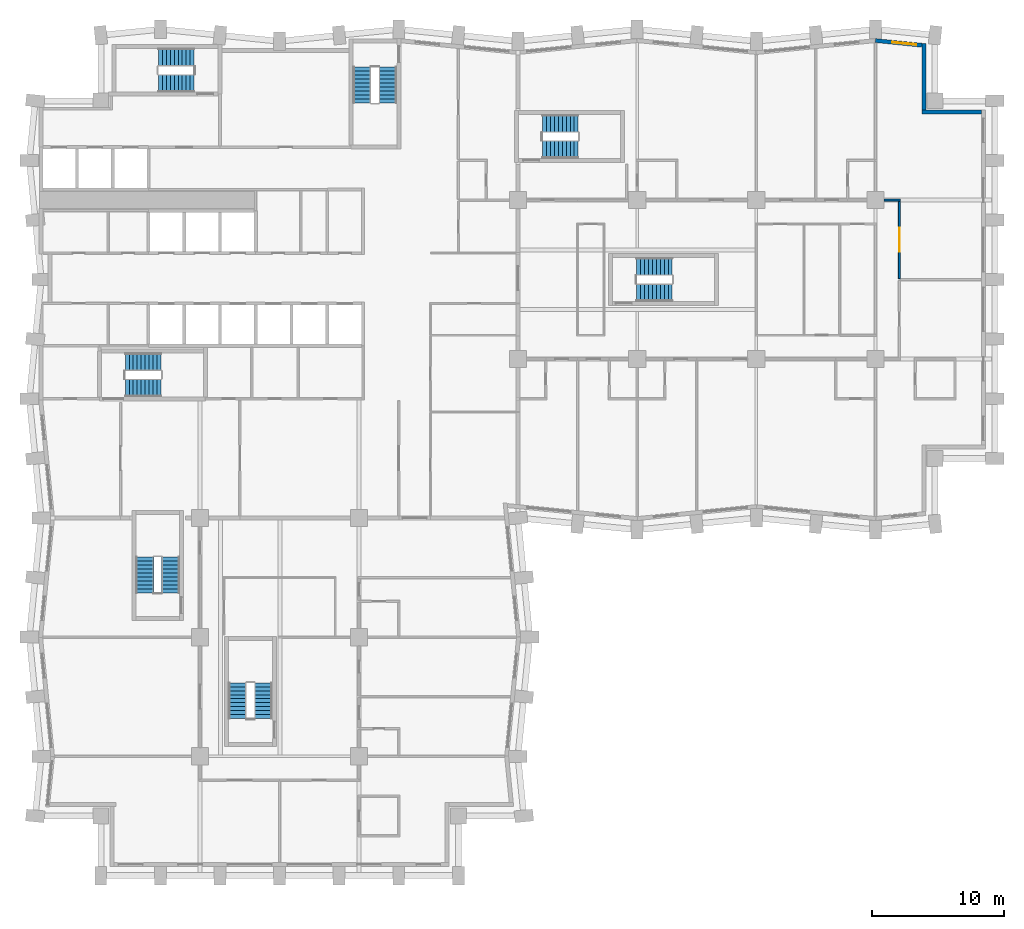
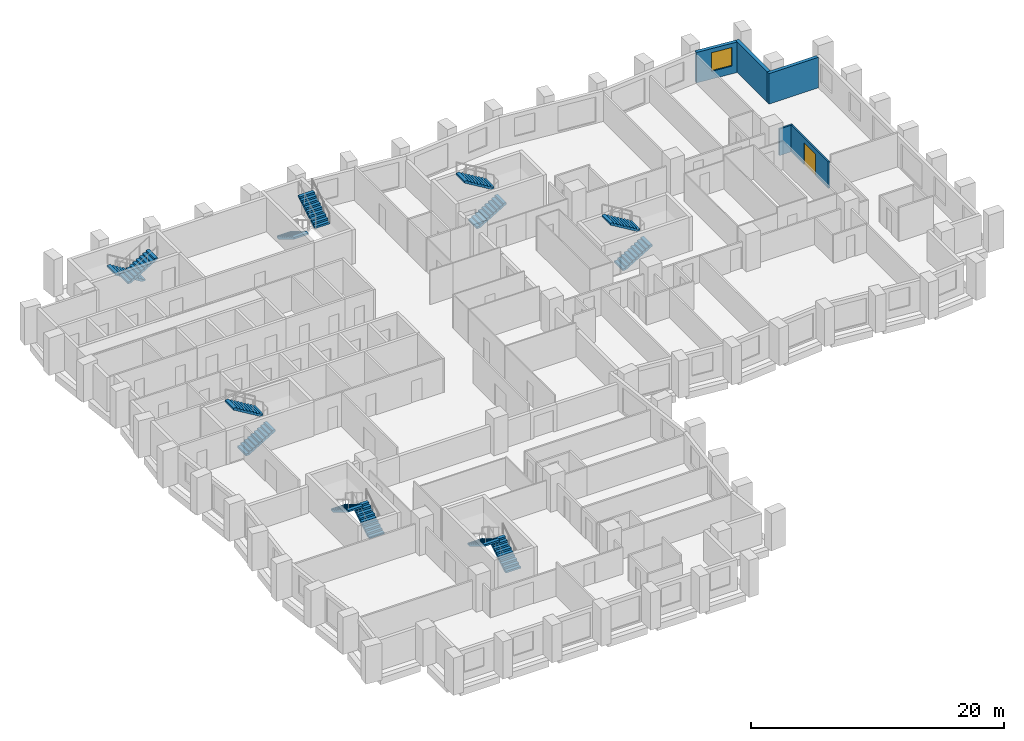
# One storey, part 10 of 12: 14 stair flights, 5 walls, 1 door, 1 window, 2 openings, 7 elements without a shape of their own.
"""IFC4 building model written with IfcOpenShell, lengths in metres."""

import ifcopenshell
import ifcopenshell.guid

model = None  # the IFC model being written
_history = None  # IfcOwnerHistory: only IFC2X3 demands one
_inside = {}  # id of a spatial element -> (the spatial element, [elements in it])
_under = {}  # id of a project, library or spatial element -> (it, [spatial elements below it])
_declared = {}  # id of a project -> (the project, [libraries it declares])
_typed = {}  # id of a type object -> (the type object, [elements of that type])
_made_of = {}  # id of a material, layer set ... -> (it, [elements and type objects made of it])


def new_model(schema):
    """Start an empty IFC model of exactly this schema.

    Asked for "IFC4X3", IfcOpenShell would pick the latest addendum, in which some entities
    have other attributes; the version numbers below select the first issue.
    IFC2X3 requires an IfcOwnerHistory on every rooted entity: one is made here for all.
    """
    global model, _history
    if schema == "IFC4X3":
        model = ifcopenshell.file(schema_version=(4, 3, 0, 0))
    else:
        model = ifcopenshell.file(schema=schema)
    _inside.clear()
    _under.clear()
    _declared.clear()
    _typed.clear()
    _made_of.clear()
    _history = None
    if model.schema == "IFC2X3":
        org = make("IfcOrganization", Name="unknown")
        user = make(
            "IfcPersonAndOrganization",
            ThePerson=make("IfcPerson", FamilyName="unknown"),
            TheOrganization=org,
        )
        app = make(
            "IfcApplication",
            ApplicationDeveloper=org,
            Version="unknown",
            ApplicationFullName="unknown",
            ApplicationIdentifier="unknown",
        )
        _history = make(
            "IfcOwnerHistory",
            OwningUser=user,
            OwningApplication=app,
            ChangeAction="ADDED",
            CreationDate=0,
        )
    return model


def make(cls, **values):
    """One entity of the class cls with the attributes given. An attribute that is None is left unset."""
    return model.create_entity(
        cls, **{name: value for name, value in values.items() if value is not None}
    )


def rooted(cls, **values):
    """An entity with a GlobalId (a new one), such as an element, a storey or a relation."""
    return make(cls, GlobalId=ifcopenshell.guid.new(), OwnerHistory=_history, **values)


def si_unit(unit_type, name, prefix=None):
    """IfcSIUnit, for example si_unit("LENGTHUNIT", "METRE", prefix="MILLI")."""
    return make("IfcSIUnit", UnitType=unit_type, Prefix=prefix, Name=name)


def assignment(units):
    """IfcUnitAssignment: the units of a project."""
    return None if units is None else make("IfcUnitAssignment", Units=units)


def point(xyz):
    """IfcCartesianPoint."""
    return None if xyz is None else make("IfcCartesianPoint", Coordinates=xyz)


def direction(xyz):
    """IfcDirection."""
    return None if xyz is None else make("IfcDirection", DirectionRatios=xyz)


def frame(location, z_axis=None, x_axis=None):
    """IfcAxis2Placement3D, a coordinate frame: its origin and axes. An axis left out is left unset."""
    return make(
        "IfcAxis2Placement3D",
        Location=point(location),
        Axis=direction(z_axis),
        RefDirection=direction(x_axis),
    )


def frame_2d(location, x_axis=None):
    """IfcAxis2Placement2D, a coordinate frame in the plane: its origin and x axis."""
    return make(
        "IfcAxis2Placement2D", Location=point(location), RefDirection=direction(x_axis)
    )


def origin():
    """The frame at (0, 0, 0) with its axes left unset."""
    return frame((0.0, 0.0, 0.0))


def place(relative_to, where):
    """IfcLocalPlacement: puts the frame where relative to a parent placement (None: the world)."""
    return make(
        "IfcLocalPlacement", PlacementRelTo=relative_to, RelativePlacement=where
    )


def context(
    kind, dimensions, precision=None, world=None, true_north=None, identifier=None
):
    """IfcGeometricRepresentationContext, for example the 3D "Model" context."""
    return make(
        "IfcGeometricRepresentationContext",
        ContextIdentifier=identifier,
        ContextType=kind,
        CoordinateSpaceDimension=dimensions,
        Precision=precision,
        WorldCoordinateSystem=world,
        TrueNorth=true_north,
    )


def subcontext(parent, identifier, kind, view, scale=None):
    """IfcGeometricRepresentationSubContext, for example "Body" below "Model"."""
    return make(
        "IfcGeometricRepresentationSubContext",
        ContextIdentifier=identifier,
        ContextType=kind,
        ParentContext=parent,
        TargetScale=scale,
        TargetView=view,
    )


def project(units=None, contexts=None):
    """IfcProject with its units and contexts."""
    return rooted(
        "IfcProject",
        Name="project",
        RepresentationContexts=contexts,
        UnitsInContext=assignment(units),
    )


def spatial(cls, under=None, at=None, **own):
    """A site, building, storey or space (cls), placed at a placement, below another one or the project."""
    s = rooted(cls, ObjectPlacement=at, **own)
    if under is not None:
        _under.setdefault(under.id(), (under, []))[1].append(s)
    return s


def polyline(points):
    """IfcPolyline through the points."""
    return make("IfcPolyline", Points=[point(p) for p in points])


def profile(cls, at=None, kind="AREA", **sizes):
    """A parametric profile (cls). Its sizes go by their IFC names, for example OverallWidth=200.0."""
    return make(cls, ProfileType=kind, Position=at, **sizes)


def rectangle(**sizes):
    """IfcRectangleProfileDef."""
    return profile("IfcRectangleProfileDef", **sizes)


def outline(outer, holes=None, kind="AREA"):
    """IfcArbitraryClosedProfileDef: a profile drawn as a closed curve; with holes, ...WithVoids."""
    if holes is None:
        return make("IfcArbitraryClosedProfileDef", ProfileType=kind, OuterCurve=outer)
    return make(
        "IfcArbitraryProfileDefWithVoids",
        ProfileType=kind,
        OuterCurve=outer,
        InnerCurves=holes,
    )


def extrude(swept, where, along, depth):
    """IfcExtrudedAreaSolid: the profile swept, set in the frame where, extruded along a direction by depth."""
    return make(
        "IfcExtrudedAreaSolid",
        SweptArea=swept,
        Position=where,
        ExtrudedDirection=direction(along),
        Depth=depth,
    )


def shape(context_of_items, identifier, shape_type, items):
    """IfcShapeRepresentation: the items that make up one representation, for example the "Body"."""
    return make(
        "IfcShapeRepresentation",
        ContextOfItems=context_of_items,
        RepresentationIdentifier=identifier,
        RepresentationType=shape_type,
        Items=items,
    )


def material(Name=None, Category=None):
    """IfcMaterial."""
    return make("IfcMaterial", Name=Name, Category=Category)


def layer(
    of_material, thickness, ventilated=None, Name=None, Category=None, Priority=None
):
    """IfcMaterialLayer: one layer of a wall or slab, of a material (None: an air gap)."""
    return make(
        "IfcMaterialLayer",
        Material=of_material,
        LayerThickness=thickness,
        IsVentilated=ventilated,
        Name=Name,
        Category=Category,
        Priority=Priority,
    )


def layer_set(layers, Name=None):
    """IfcMaterialLayerSet."""
    return make("IfcMaterialLayerSet", MaterialLayers=layers, LayerSetName=Name)


def made_of(thing, what):
    """Note that an element or type object is made of a material, layer set ...; save() writes the relation."""
    if what is not None:
        _made_of.setdefault(what.id(), (what, []))[1].append(thing)
    return thing


def type_object(cls, material=None, **own):
    """A type object (cls), such as IfcWallType, which elements share."""
    return made_of(rooted(cls, **own), material)


def element(
    cls,
    number,
    at=None,
    inside=None,
    cuts=None,
    type_object=None,
    material=None,
    context=None,
    identifier="Body",
    shape_type=None,
    held_by="IfcProductDefinitionShape",
    body=None,
    shapes=None,
    **own,
):
    """One element of the class cls, such as IfcWall. Its Tag is "e" and its number.

    at: its placement. inside: the storey or other place that contains it. cuts: it is an
    opening in that element (IfcRelVoidsElement). A single representation is given by context,
    identifier, shape_type and body (its items); several are given by shapes. held_by: the class
    of the entity that holds the representations. save() writes the other relations.
    """
    e = rooted(cls, Tag="e%d" % number, ObjectPlacement=at, **own)
    if body is not None:
        shapes = [shape(context, identifier, shape_type, body)]
    if shapes is not None:
        e.Representation = make(held_by, Representations=shapes)
    if inside is not None:
        _inside.setdefault(inside.id(), (inside, []))[1].append(e)
    if cuts is not None:
        rooted(
            "IfcRelVoidsElement", RelatingBuildingElement=cuts, RelatedOpeningElement=e
        )
    if type_object is not None:
        _typed.setdefault(type_object.id(), (type_object, []))[1].append(e)
    return made_of(e, material)


def fill(opening, filler):
    """IfcRelFillsElement: the door or window that sits in an opening."""
    return rooted(
        "IfcRelFillsElement",
        RelatingOpeningElement=opening,
        RelatedBuildingElement=filler,
    )


def aggregate(whole, parts):
    """IfcRelAggregates: a whole, such as a stair, and the parts it consists of."""
    return rooted("IfcRelAggregates", RelatingObject=whole, RelatedObjects=parts)


def save(model, path):
    """Write the relations noted so far, then the file.

    IfcRelAggregates (storeys below a building ...), IfcRelContainedInSpatialStructure (elements
    in a storey), IfcRelDefinesByType, IfcRelAssociatesMaterial and IfcRelDeclares: one each for
    every whole, place, type object, material and project.
    """
    for whole, parts in _under.values():
        aggregate(whole, parts)
    for where, things in _inside.values():
        rooted(
            "IfcRelContainedInSpatialStructure",
            RelatedElements=things,
            RelatingStructure=where,
        )
    for kind, things in _typed.values():
        rooted("IfcRelDefinesByType", RelatedObjects=things, RelatingType=kind)
    for what, things in _made_of.values():
        rooted("IfcRelAssociatesMaterial", RelatedObjects=things, RelatingMaterial=what)
    for by, libraries in _declared.values():
        rooted("IfcRelDeclares", RelatingContext=by, RelatedDefinitions=libraries)
    model.write(path)


model = new_model("IFC4")

# Units and contexts
model_context = context("Model", 3, precision=1e-05, world=origin(), true_north=direction((0.0, 1.0)))
body_context = subcontext(model_context, "Body", "Model", "MODEL_VIEW")
ifc_project = project(units=[si_unit("LENGTHUNIT", "METRE"), si_unit("AREAUNIT", "SQUARE_METRE"), si_unit("VOLUMEUNIT", "CUBIC_METRE"), si_unit("PLANEANGLEUNIT", "RADIAN"), si_unit("MASSUNIT", "GRAM", prefix="KILO")], contexts=[model_context])

# Site, building, storey
site_placement = place(None, origin())
site = spatial("IfcSite", under=ifc_project, at=site_placement, CompositionType="ELEMENT")
building_placement = place(site_placement, origin())
building = spatial("IfcBuilding", under=site, at=building_placement, Name="Brondeck Convention Tower", CompositionType="ELEMENT")
storey_placement = place(building_placement, frame((0.0, 0.0, 77.10009765625)))
storey = spatial("IfcBuildingStorey", under=building, at=storey_placement, Name="L17", CompositionType="ELEMENT", Elevation=77.10009765625)

# Walls
ifc_material_1 = material(Name="Precast concrete C50/60 bronze finish", Category="concrete")
ifc_layer_1 = layer(ifc_material_1, 0.070068359375, Name="Bronze precast facing")
ifc_material_2 = material(Name="Mineral wool")
ifc_layer_2 = layer(ifc_material_2, 0.159912109375, Name="Insulation")
ifc_material_3 = material(Name="Concrete C35/45", Category="concrete")
ifc_layer_3 = layer(ifc_material_3, 0.070068359375, Name="Backing")
ifc_layer_set_1 = layer_set([ifc_layer_1, ifc_layer_2, ifc_layer_3], Name="External infill wall, precast concrete C50/60 bronze facing")
wall_type_1 = type_object("IfcWallType", Name="External infill wall, precast concrete C50/60 bronze facing", PredefinedType="SOLIDWALL", material=ifc_layer_set_1)
wall_1_placement = place(storey_placement, frame((66.5, 57.64990234375, 0.0), z_axis=(0.0, 0.0, 1.0), x_axis=(1.0, 0.0, 0.0)))
element("IfcWall", 1, at=wall_1_placement, inside=storey, type_object=wall_type_1, Name="ENV-EW-L17-P0-NC-NEA72-01", PredefinedType="SOLIDWALL", context=body_context, shape_type="SweptSolid", body=[
    extrude(rectangle(XDim=4.5, YDim=0.300048828125, at=frame_2d((2.25, 0.0))), origin(), (0.0, 0.0, 1.0), 2.949951171875),
])
wall_2_placement = place(storey_placement, frame((66.64990234375, 62.81640625, 0.0), z_axis=(0.0, 0.0, 1.0), x_axis=(0.0, -1.0, 0.0)))
element("IfcWall", 2, at=wall_2_placement, inside=storey, type_object=wall_type_1, Name="ENV-EW-L17-P0-NC-NEA72-02", PredefinedType="SOLIDWALL", context=body_context, shape_type="SweptSolid", body=[
    extrude(rectangle(XDim=5.018310546875, YDim=0.300048828125, at=frame_2d((2.50927734375, 0.0))), origin(), (0.0, 0.0, 1.0), 2.949951171875),
])

# Wall, opening, window
wall_3_placement = place(storey_placement, frame((62.985107421875, 63.04736328125, 0.0), z_axis=(0.0, 0.0, 1.0), x_axis=(0.995031712439, -0.099558481511, 0.0)))
wall_3 = element("IfcWall", 3, at=wall_3_placement, inside=storey, type_object=wall_type_1, Name="ENV-EW-L17-P0-A-N-14", PredefinedType="SOLIDWALL", context=body_context, shape_type="SweptSolid", body=[
    extrude(rectangle(XDim=3.53125, YDim=0.300048828125, at=frame_2d((1.765625, 0.0))), origin(), (0.0, 0.0, 1.0), 2.949951171875),
])
opening_1_placement = place(wall_3_placement, frame((1.291259765625, 0.0, 0.75)))
opening_1 = element("IfcOpeningElement", 4, at=opening_1_placement, cuts=wall_3, Name="Opening W10", PredefinedType="OPENING", context=body_context, shape_type="SweptSolid", body=[
    extrude(rectangle(XDim=1.800048828125, YDim=1.800048828125, at=frame_2d((0.89990234375, 0.89990234375))), frame((0.0, 0.159912109375, 0.0), z_axis=(0.0, -1.0, 0.0), x_axis=(1.0, 0.0, 0.0)), (0.0, 0.0, 1.0), 0.320068359375),
])
ifc_material_4 = material(Name="Bronze tinted double glazing", Category="glass")
window_type = type_object("IfcWindowType", Name="Punched window, bronze tinted", PartitioningType="SINGLE_PANEL", PredefinedType="WINDOW", material=ifc_material_4)
window_placement = place(opening_1_placement, origin())
window = element("IfcWindow", 5, at=window_placement, inside=storey, type_object=window_type, Name="ENV-WN-L17-P0-A-N-14", OverallHeight=1.800048828125, OverallWidth=1.800048828125, PartitioningType="SINGLE_PANEL", PredefinedType="WINDOW", context=body_context, shape_type="SweptSolid", body=[
    extrude(rectangle(XDim=1.800048828125, YDim=1.800048828125, at=frame_2d((0.89990234375, 0.89990234375))), frame((0.0, 0.030029296875, 0.0), z_axis=(0.0, -1.0, 0.0), x_axis=(1.0, 0.0, 0.0)), (0.0, 0.0, 1.0), 0.06005859375),
])
fill(opening_1, window)

# Wall, opening, door
ifc_material_5 = material(Name="Double gypsum board acoustic wall")
ifc_layer_4 = layer(ifc_material_5, 0.14990234375)
ifc_layer_set_2 = layer_set([ifc_layer_4], Name="Guest room party wall 150")
wall_type_2 = type_object("IfcWallType", Name="Guest room party wall 150", PredefinedType="PARTITIONING", material=ifc_layer_set_2)
wall_4_placement = place(storey_placement, frame((64.800048828125, 50.925048828125, 0.0), z_axis=(0.0, 0.0, 1.0), x_axis=(0.0, -1.0, 0.0)))
wall_4 = element("IfcWall", 6, at=wall_4_placement, inside=storey, type_object=wall_type_2, Name="FLR-L17-W105", PredefinedType="PARTITIONING", context=body_context, shape_type="SweptSolid", body=[
    extrude(rectangle(XDim=5.85009765625, YDim=0.14990234375, at=frame_2d((2.925048828125, 0.0))), origin(), (0.0, 0.0, 1.0), 2.579833984375),
])
opening_2_placement = place(wall_4_placement, frame((2.02490234375, 0.0, 0.0)))
opening_2 = element("IfcOpeningElement", 7, at=opening_2_placement, cuts=wall_4, Name="Opening H5-019", PredefinedType="OPENING", context=body_context, shape_type="SweptSolid", body=[
    extrude(rectangle(XDim=1.800048828125, YDim=2.10009765625, at=frame_2d((0.89990234375, 1.050048828125))), frame((0.0, 0.0849609375, 0.0), z_axis=(0.0, -1.0, 0.0), x_axis=(1.0, 0.0, 0.0)), (0.0, 0.0, 1.0), 0.169921875),
])
ifc_material_6 = material(Name="Glazed timber double door", Category="wood")
door_type = type_object("IfcDoorType", Name="Double door 1800", OperationType="DOUBLE_DOOR_SINGLE_SWING", PredefinedType="DOOR", material=ifc_material_6)
door_placement = place(opening_2_placement, origin())
door = element("IfcDoor", 8, at=door_placement, inside=storey, type_object=door_type, Name="Door H5-019", OperationType="DOUBLE_DOOR_SINGLE_SWING", OverallHeight=2.10009765625, OverallWidth=1.800048828125, PredefinedType="DOOR", context=body_context, shape_type="SweptSolid", body=[
    extrude(rectangle(XDim=1.800048828125, YDim=2.10009765625, at=frame_2d((0.89990234375, 1.050048828125))), frame((0.0, 0.02490234375, 0.0), z_axis=(0.0, -1.0, 0.0), x_axis=(1.0, 0.0, 0.0)), (0.0, 0.0, 1.0), 0.050048828125),
])
fill(opening_2, door)

# Wall
wall_5_placement = place(storey_placement, frame((63.655029296875, 51.0, 0.0), z_axis=(0.0, 0.0, 1.0), x_axis=(1.0, 0.0, 0.0)))
element("IfcWall", 9, at=wall_5_placement, inside=storey, type_object=wall_type_2, Name="FLR-L17-W115", PredefinedType="PARTITIONING", context=body_context, shape_type="SweptSolid", body=[
    extrude(rectangle(XDim=1.219970703125, YDim=0.14990234375, at=frame_2d((0.60986328125, 0.0))), origin(), (0.0, 0.0, 1.0), 2.579833984375),
])

# Stair, stair flights
ifc_material_7 = material(Name="Precast concrete C50/60", Category="concrete")
stair_type = type_object("IfcStairType", Name="Core stair 20 risers 180.00 mm riser 300 mm going 1350 wide", PredefinedType="HALF_TURN_STAIR", material=ifc_material_7)
stair_1_placement = place(storey_placement, origin())
stair_1 = element("IfcStair", 10, at=stair_1_placement, inside=storey, type_object=stair_type, Name="ST-1 L17 stair", PredefinedType="HALF_TURN_STAIR")
stair_flight_type = type_object("IfcStairFlightType", Name="Core stair flight 20 risers 180.00 mm riser 300 mm going 1350 wide", PredefinedType="STRAIGHT", material=ifc_material_7)
stair_flight_1_placement = place(storey_placement, frame((6.35009765625, 36.824951171875, 0.0), z_axis=(0.0, 0.0, 1.0), x_axis=(1.0, 0.0, 0.0)))
stair_flight_1 = element("IfcStairFlight", 11, at=stair_flight_1_placement, type_object=stair_flight_type, Name="ST-1 flight 1", NumberOfRisers=10, NumberOfTreads=9, PredefinedType="STRAIGHT", RiserHeight=0.18, TreadLength=0.3, context=body_context, shape_type="SweptSolid", body=[
    extrude(outline(polyline([(0.0, 0.0), (0.0, 0.179931640625), (0.300048828125, 0.179931640625), (0.300048828125, 0.360107421875), (0.60009765625, 0.360107421875), (0.60009765625, 0.5400390625), (0.89990234375, 0.5400390625), (0.89990234375, 0.719970703125), (1.199951171875, 0.719970703125), (1.199951171875, 0.89990234375), (1.5, 0.89990234375), (1.5, 1.080078125), (1.800048828125, 1.080078125), (1.800048828125, 1.260009765625), (2.10009765625, 1.260009765625), (2.10009765625, 1.43994140625), (2.39990234375, 1.43994140625), (2.39990234375, 1.6201171875), (2.699951171875, 1.6201171875), (2.699951171875, 1.800048828125), (2.699951171875, 1.445068359375), (0.291259765625, 0.0), (0.0, 0.0)])), frame((0.0, 0.675048828125, 0.0), z_axis=(0.0, -1.0, 0.0), x_axis=(1.0, 0.0, 0.0)), (0.0, 0.0, 1.0), 1.35009765625),
])
stair_flight_2_placement = place(storey_placement, frame((9.050048828125, 38.77490234375, 1.7998046875), z_axis=(0.0, 0.0, 1.0), x_axis=(-1.0, 0.0, 0.0)))
stair_flight_2 = element("IfcStairFlight", 12, at=stair_flight_2_placement, type_object=stair_flight_type, Name="ST-1 flight 2", NumberOfRisers=10, NumberOfTreads=9, PredefinedType="STRAIGHT", RiserHeight=0.18, TreadLength=0.3, context=body_context, shape_type="SweptSolid", body=[
    extrude(outline(polyline([(0.0, 0.0), (0.0, 0.179931640625), (0.300048828125, 0.179931640625), (0.300048828125, 0.360107421875), (0.60009765625, 0.360107421875), (0.60009765625, 0.5400390625), (0.89990234375, 0.5400390625), (0.89990234375, 0.719970703125), (1.199951171875, 0.719970703125), (1.199951171875, 0.89990234375), (1.5, 0.89990234375), (1.5, 1.080078125), (1.800048828125, 1.080078125), (1.800048828125, 1.260009765625), (2.10009765625, 1.260009765625), (2.10009765625, 1.43994140625), (2.39990234375, 1.43994140625), (2.39990234375, 1.6201171875), (2.699951171875, 1.6201171875), (2.699951171875, 1.800048828125), (2.699951171875, 1.445068359375), (0.291259765625, 0.0), (0.0, 0.0)])), frame((0.0, 0.675048828125, 0.0), z_axis=(0.0, -1.0, 0.0), x_axis=(1.0, 0.0, 0.0)), (0.0, 0.0, 1.0), 1.35009765625),
])
aggregate(stair_1, [stair_flight_1, stair_flight_2])

stair_2_placement = place(storey_placement, origin())
stair_2 = element("IfcStair", 13, at=stair_2_placement, inside=storey, type_object=stair_type, Name="ST-2 L17 stair", PredefinedType="HALF_TURN_STAIR")
stair_flight_3_placement = place(storey_placement, frame((24.22509765625, 61.050048828125, 0.0), z_axis=(0.0, 0.0, 1.0), x_axis=(0.0, -1.0, 0.0)))
stair_flight_3 = element("IfcStairFlight", 14, at=stair_flight_3_placement, type_object=stair_flight_type, Name="ST-2 flight 1", NumberOfRisers=10, NumberOfTreads=9, PredefinedType="STRAIGHT", RiserHeight=0.18, TreadLength=0.3, context=body_context, shape_type="SweptSolid", body=[
    extrude(outline(polyline([(0.0, 0.0), (0.0, 0.179931640625), (0.300048828125, 0.179931640625), (0.300048828125, 0.360107421875), (0.60009765625, 0.360107421875), (0.60009765625, 0.5400390625), (0.89990234375, 0.5400390625), (0.89990234375, 0.719970703125), (1.199951171875, 0.719970703125), (1.199951171875, 0.89990234375), (1.5, 0.89990234375), (1.5, 1.080078125), (1.800048828125, 1.080078125), (1.800048828125, 1.260009765625), (2.10009765625, 1.260009765625), (2.10009765625, 1.43994140625), (2.39990234375, 1.43994140625), (2.39990234375, 1.6201171875), (2.699951171875, 1.6201171875), (2.699951171875, 1.800048828125), (2.699951171875, 1.445068359375), (0.291259765625, 0.0), (0.0, 0.0)])), frame((0.0, 0.675048828125, 0.0), z_axis=(0.0, -1.0, 0.0), x_axis=(1.0, 0.0, 0.0)), (0.0, 0.0, 1.0), 1.35009765625),
])
stair_flight_4_placement = place(storey_placement, frame((26.175048828125, 58.35009765625, 1.7998046875), z_axis=(0.0, 0.0, 1.0), x_axis=(0.0, 1.0, 0.0)))
stair_flight_4 = element("IfcStairFlight", 15, at=stair_flight_4_placement, type_object=stair_flight_type, Name="ST-2 flight 2", NumberOfRisers=10, NumberOfTreads=9, PredefinedType="STRAIGHT", RiserHeight=0.18, TreadLength=0.3, context=body_context, shape_type="SweptSolid", body=[
    extrude(outline(polyline([(0.0, 0.0), (0.0, 0.179931640625), (0.300048828125, 0.179931640625), (0.300048828125, 0.360107421875), (0.60009765625, 0.360107421875), (0.60009765625, 0.5400390625), (0.89990234375, 0.5400390625), (0.89990234375, 0.719970703125), (1.199951171875, 0.719970703125), (1.199951171875, 0.89990234375), (1.5, 0.89990234375), (1.5, 1.080078125), (1.800048828125, 1.080078125), (1.800048828125, 1.260009765625), (2.10009765625, 1.260009765625), (2.10009765625, 1.43994140625), (2.39990234375, 1.43994140625), (2.39990234375, 1.6201171875), (2.699951171875, 1.6201171875), (2.699951171875, 1.800048828125), (2.699951171875, 1.445068359375), (0.291259765625, 0.0), (0.0, 0.0)])), frame((0.0, 0.675048828125, 0.0), z_axis=(0.0, -1.0, 0.0), x_axis=(1.0, 0.0, 0.0)), (0.0, 0.0, 1.0), 1.35009765625),
])
aggregate(stair_2, [stair_flight_3, stair_flight_4])

stair_3_placement = place(storey_placement, origin())
stair_3 = element("IfcStair", 16, at=stair_3_placement, inside=storey, type_object=stair_type, Name="ST-3 L17 stair", PredefinedType="HALF_TURN_STAIR")
stair_flight_5_placement = place(storey_placement, frame((11.550048828125, 61.77490234375, 0.0), z_axis=(0.0, 0.0, 1.0), x_axis=(-1.0, 0.0, 0.0)))
stair_flight_5 = element("IfcStairFlight", 17, at=stair_flight_5_placement, type_object=stair_flight_type, Name="ST-3 flight 1", NumberOfRisers=10, NumberOfTreads=9, PredefinedType="STRAIGHT", RiserHeight=0.18, TreadLength=0.3, context=body_context, shape_type="SweptSolid", body=[
    extrude(outline(polyline([(0.0, 0.0), (0.0, 0.179931640625), (0.300048828125, 0.179931640625), (0.300048828125, 0.360107421875), (0.60009765625, 0.360107421875), (0.60009765625, 0.5400390625), (0.89990234375, 0.5400390625), (0.89990234375, 0.719970703125), (1.199951171875, 0.719970703125), (1.199951171875, 0.89990234375), (1.5, 0.89990234375), (1.5, 1.080078125), (1.800048828125, 1.080078125), (1.800048828125, 1.260009765625), (2.10009765625, 1.260009765625), (2.10009765625, 1.43994140625), (2.39990234375, 1.43994140625), (2.39990234375, 1.6201171875), (2.699951171875, 1.6201171875), (2.699951171875, 1.800048828125), (2.699951171875, 1.445068359375), (0.291259765625, 0.0), (0.0, 0.0)])), frame((0.0, 0.675048828125, 0.0), z_axis=(0.0, -1.0, 0.0), x_axis=(1.0, 0.0, 0.0)), (0.0, 0.0, 1.0), 1.35009765625),
])
stair_flight_6_placement = place(storey_placement, frame((8.85009765625, 59.824951171875, 1.7998046875), z_axis=(0.0, 0.0, 1.0), x_axis=(1.0, 0.0, 0.0)))
stair_flight_6 = element("IfcStairFlight", 18, at=stair_flight_6_placement, type_object=stair_flight_type, Name="ST-3 flight 2", NumberOfRisers=10, NumberOfTreads=9, PredefinedType="STRAIGHT", RiserHeight=0.18, TreadLength=0.3, context=body_context, shape_type="SweptSolid", body=[
    extrude(outline(polyline([(0.0, 0.0), (0.0, 0.179931640625), (0.300048828125, 0.179931640625), (0.300048828125, 0.360107421875), (0.60009765625, 0.360107421875), (0.60009765625, 0.5400390625), (0.89990234375, 0.5400390625), (0.89990234375, 0.719970703125), (1.199951171875, 0.719970703125), (1.199951171875, 0.89990234375), (1.5, 0.89990234375), (1.5, 1.080078125), (1.800048828125, 1.080078125), (1.800048828125, 1.260009765625), (2.10009765625, 1.260009765625), (2.10009765625, 1.43994140625), (2.39990234375, 1.43994140625), (2.39990234375, 1.6201171875), (2.699951171875, 1.6201171875), (2.699951171875, 1.800048828125), (2.699951171875, 1.445068359375), (0.291259765625, 0.0), (0.0, 0.0)])), frame((0.0, 0.675048828125, 0.0), z_axis=(0.0, -1.0, 0.0), x_axis=(1.0, 0.0, 0.0)), (0.0, 0.0, 1.0), 1.35009765625),
])
aggregate(stair_3, [stair_flight_5, stair_flight_6])

stair_4_placement = place(storey_placement, origin())
stair_4 = element("IfcStair", 19, at=stair_4_placement, inside=storey, type_object=stair_type, Name="ST-AE L17 stair", PredefinedType="HALF_TURN_STAIR")
stair_flight_7_placement = place(storey_placement, frame((37.85009765625, 54.824951171875, 0.0), z_axis=(0.0, 0.0, 1.0), x_axis=(1.0, 0.0, 0.0)))
stair_flight_7 = element("IfcStairFlight", 20, at=stair_flight_7_placement, type_object=stair_flight_type, Name="ST-AE flight 1", NumberOfRisers=10, NumberOfTreads=9, PredefinedType="STRAIGHT", RiserHeight=0.18, TreadLength=0.3, context=body_context, shape_type="SweptSolid", body=[
    extrude(outline(polyline([(0.0, 0.0), (0.0, 0.179931640625), (0.300048828125, 0.179931640625), (0.300048828125, 0.360107421875), (0.60009765625, 0.360107421875), (0.60009765625, 0.5400390625), (0.89990234375, 0.5400390625), (0.89990234375, 0.719970703125), (1.199951171875, 0.719970703125), (1.199951171875, 0.89990234375), (1.5, 0.89990234375), (1.5, 1.080078125), (1.800048828125, 1.080078125), (1.800048828125, 1.260009765625), (2.10009765625, 1.260009765625), (2.10009765625, 1.43994140625), (2.39990234375, 1.43994140625), (2.39990234375, 1.6201171875), (2.699951171875, 1.6201171875), (2.699951171875, 1.800048828125), (2.699951171875, 1.445068359375), (0.291259765625, 0.0), (0.0, 0.0)])), frame((0.0, 0.675048828125, 0.0), z_axis=(0.0, -1.0, 0.0), x_axis=(1.0, 0.0, 0.0)), (0.0, 0.0, 1.0), 1.35009765625),
])
stair_flight_8_placement = place(storey_placement, frame((40.550048828125, 56.77490234375, 1.7998046875), z_axis=(0.0, 0.0, 1.0), x_axis=(-1.0, 0.0, 0.0)))
stair_flight_8 = element("IfcStairFlight", 21, at=stair_flight_8_placement, type_object=stair_flight_type, Name="ST-AE flight 2", NumberOfRisers=10, NumberOfTreads=9, PredefinedType="STRAIGHT", RiserHeight=0.18, TreadLength=0.3, context=body_context, shape_type="SweptSolid", body=[
    extrude(outline(polyline([(0.0, 0.0), (0.0, 0.179931640625), (0.300048828125, 0.179931640625), (0.300048828125, 0.360107421875), (0.60009765625, 0.360107421875), (0.60009765625, 0.5400390625), (0.89990234375, 0.5400390625), (0.89990234375, 0.719970703125), (1.199951171875, 0.719970703125), (1.199951171875, 0.89990234375), (1.5, 0.89990234375), (1.5, 1.080078125), (1.800048828125, 1.080078125), (1.800048828125, 1.260009765625), (2.10009765625, 1.260009765625), (2.10009765625, 1.43994140625), (2.39990234375, 1.43994140625), (2.39990234375, 1.6201171875), (2.699951171875, 1.6201171875), (2.699951171875, 1.800048828125), (2.699951171875, 1.445068359375), (0.291259765625, 0.0), (0.0, 0.0)])), frame((0.0, 0.675048828125, 0.0), z_axis=(0.0, -1.0, 0.0), x_axis=(1.0, 0.0, 0.0)), (0.0, 0.0, 1.0), 1.35009765625),
])
aggregate(stair_4, [stair_flight_7, stair_flight_8])

stair_5_placement = place(storey_placement, origin())
stair_5 = element("IfcStair", 22, at=stair_5_placement, inside=storey, type_object=stair_type, Name="ST-BE L17 stair", PredefinedType="HALF_TURN_STAIR")
stair_flight_9_placement = place(storey_placement, frame((9.77490234375, 21.35009765625, 0.0), z_axis=(0.0, 0.0, 1.0), x_axis=(0.0, 1.0, 0.0)))
stair_flight_9 = element("IfcStairFlight", 23, at=stair_flight_9_placement, type_object=stair_flight_type, Name="ST-BE flight 1", NumberOfRisers=10, NumberOfTreads=9, PredefinedType="STRAIGHT", RiserHeight=0.18, TreadLength=0.3, context=body_context, shape_type="SweptSolid", body=[
    extrude(outline(polyline([(0.0, 0.0), (0.0, 0.179931640625), (0.300048828125, 0.179931640625), (0.300048828125, 0.360107421875), (0.60009765625, 0.360107421875), (0.60009765625, 0.5400390625), (0.89990234375, 0.5400390625), (0.89990234375, 0.719970703125), (1.199951171875, 0.719970703125), (1.199951171875, 0.89990234375), (1.5, 0.89990234375), (1.5, 1.080078125), (1.800048828125, 1.080078125), (1.800048828125, 1.260009765625), (2.10009765625, 1.260009765625), (2.10009765625, 1.43994140625), (2.39990234375, 1.43994140625), (2.39990234375, 1.6201171875), (2.699951171875, 1.6201171875), (2.699951171875, 1.800048828125), (2.699951171875, 1.445068359375), (0.291259765625, 0.0), (0.0, 0.0)])), frame((0.0, 0.675048828125, 0.0), z_axis=(0.0, -1.0, 0.0), x_axis=(1.0, 0.0, 0.0)), (0.0, 0.0, 1.0), 1.35009765625),
])
stair_flight_10_placement = place(storey_placement, frame((7.824951171875, 24.050048828125, 1.7998046875), z_axis=(0.0, 0.0, 1.0), x_axis=(0.0, -1.0, 0.0)))
stair_flight_10 = element("IfcStairFlight", 24, at=stair_flight_10_placement, type_object=stair_flight_type, Name="ST-BE flight 2", NumberOfRisers=10, NumberOfTreads=9, PredefinedType="STRAIGHT", RiserHeight=0.18, TreadLength=0.3, context=body_context, shape_type="SweptSolid", body=[
    extrude(outline(polyline([(0.0, 0.0), (0.0, 0.179931640625), (0.300048828125, 0.179931640625), (0.300048828125, 0.360107421875), (0.60009765625, 0.360107421875), (0.60009765625, 0.5400390625), (0.89990234375, 0.5400390625), (0.89990234375, 0.719970703125), (1.199951171875, 0.719970703125), (1.199951171875, 0.89990234375), (1.5, 0.89990234375), (1.5, 1.080078125), (1.800048828125, 1.080078125), (1.800048828125, 1.260009765625), (2.10009765625, 1.260009765625), (2.10009765625, 1.43994140625), (2.39990234375, 1.43994140625), (2.39990234375, 1.6201171875), (2.699951171875, 1.6201171875), (2.699951171875, 1.800048828125), (2.699951171875, 1.445068359375), (0.291259765625, 0.0), (0.0, 0.0)])), frame((0.0, 0.675048828125, 0.0), z_axis=(0.0, -1.0, 0.0), x_axis=(1.0, 0.0, 0.0)), (0.0, 0.0, 1.0), 1.35009765625),
])
aggregate(stair_5, [stair_flight_9, stair_flight_10])

stair_6_placement = place(storey_placement, origin())
stair_6 = element("IfcStair", 25, at=stair_6_placement, inside=storey, type_object=stair_type, Name="ST-AF L17 stair", PredefinedType="HALF_TURN_STAIR")
stair_flight_11_placement = place(storey_placement, frame((44.949951171875, 44.02490234375, 0.0), z_axis=(0.0, 0.0, 1.0), x_axis=(1.0, 0.0, 0.0)))
stair_flight_11 = element("IfcStairFlight", 26, at=stair_flight_11_placement, type_object=stair_flight_type, Name="ST-AF flight 1", NumberOfRisers=10, NumberOfTreads=9, PredefinedType="STRAIGHT", RiserHeight=0.18, TreadLength=0.3, context=body_context, shape_type="SweptSolid", body=[
    extrude(outline(polyline([(0.0, 0.0), (0.0, 0.179931640625), (0.300048828125, 0.179931640625), (0.300048828125, 0.360107421875), (0.60009765625, 0.360107421875), (0.60009765625, 0.5400390625), (0.89990234375, 0.5400390625), (0.89990234375, 0.719970703125), (1.199951171875, 0.719970703125), (1.199951171875, 0.89990234375), (1.5, 0.89990234375), (1.5, 1.080078125), (1.800048828125, 1.080078125), (1.800048828125, 1.260009765625), (2.10009765625, 1.260009765625), (2.10009765625, 1.43994140625), (2.39990234375, 1.43994140625), (2.39990234375, 1.6201171875), (2.699951171875, 1.6201171875), (2.699951171875, 1.800048828125), (2.699951171875, 1.445068359375), (0.291259765625, 0.0), (0.0, 0.0)])), frame((0.0, 0.675048828125, 0.0), z_axis=(0.0, -1.0, 0.0), x_axis=(1.0, 0.0, 0.0)), (0.0, 0.0, 1.0), 1.35009765625),
])
stair_flight_12_placement = place(storey_placement, frame((47.64990234375, 45.97509765625, 1.7998046875), z_axis=(0.0, 0.0, 1.0), x_axis=(-1.0, 0.0, 0.0)))
stair_flight_12 = element("IfcStairFlight", 27, at=stair_flight_12_placement, type_object=stair_flight_type, Name="ST-AF flight 2", NumberOfRisers=10, NumberOfTreads=9, PredefinedType="STRAIGHT", RiserHeight=0.18, TreadLength=0.3, context=body_context, shape_type="SweptSolid", body=[
    extrude(outline(polyline([(0.0, 0.0), (0.0, 0.179931640625), (0.300048828125, 0.179931640625), (0.300048828125, 0.360107421875), (0.60009765625, 0.360107421875), (0.60009765625, 0.5400390625), (0.89990234375, 0.5400390625), (0.89990234375, 0.719970703125), (1.199951171875, 0.719970703125), (1.199951171875, 0.89990234375), (1.5, 0.89990234375), (1.5, 1.080078125), (1.800048828125, 1.080078125), (1.800048828125, 1.260009765625), (2.10009765625, 1.260009765625), (2.10009765625, 1.43994140625), (2.39990234375, 1.43994140625), (2.39990234375, 1.6201171875), (2.699951171875, 1.6201171875), (2.699951171875, 1.800048828125), (2.699951171875, 1.445068359375), (0.291259765625, 0.0), (0.0, 0.0)])), frame((0.0, 0.675048828125, 0.0), z_axis=(0.0, -1.0, 0.0), x_axis=(1.0, 0.0, 0.0)), (0.0, 0.0, 1.0), 1.35009765625),
])
aggregate(stair_6, [stair_flight_11, stair_flight_12])

stair_7_placement = place(storey_placement, origin())
stair_7 = element("IfcStair", 28, at=stair_7_placement, inside=storey, type_object=stair_type, Name="ST-BF L17 stair", PredefinedType="HALF_TURN_STAIR")
stair_flight_13_placement = place(storey_placement, frame((16.77490234375, 11.85009765625, 0.0), z_axis=(0.0, 0.0, 1.0), x_axis=(0.0, 1.0, 0.0)))
stair_flight_13 = element("IfcStairFlight", 29, at=stair_flight_13_placement, type_object=stair_flight_type, Name="ST-BF flight 1", NumberOfRisers=10, NumberOfTreads=9, PredefinedType="STRAIGHT", RiserHeight=0.18, TreadLength=0.3, context=body_context, shape_type="SweptSolid", body=[
    extrude(outline(polyline([(0.0, 0.0), (0.0, 0.179931640625), (0.300048828125, 0.179931640625), (0.300048828125, 0.360107421875), (0.60009765625, 0.360107421875), (0.60009765625, 0.5400390625), (0.89990234375, 0.5400390625), (0.89990234375, 0.719970703125), (1.199951171875, 0.719970703125), (1.199951171875, 0.89990234375), (1.5, 0.89990234375), (1.5, 1.080078125), (1.800048828125, 1.080078125), (1.800048828125, 1.260009765625), (2.10009765625, 1.260009765625), (2.10009765625, 1.43994140625), (2.39990234375, 1.43994140625), (2.39990234375, 1.6201171875), (2.699951171875, 1.6201171875), (2.699951171875, 1.800048828125), (2.699951171875, 1.445068359375), (0.291259765625, 0.0), (0.0, 0.0)])), frame((0.0, 0.675048828125, 0.0), z_axis=(0.0, -1.0, 0.0), x_axis=(1.0, 0.0, 0.0)), (0.0, 0.0, 1.0), 1.35009765625),
])
stair_flight_14_placement = place(storey_placement, frame((14.824951171875, 14.550048828125, 1.7998046875), z_axis=(0.0, 0.0, 1.0), x_axis=(0.0, -1.0, 0.0)))
stair_flight_14 = element("IfcStairFlight", 30, at=stair_flight_14_placement, type_object=stair_flight_type, Name="ST-BF flight 2", NumberOfRisers=10, NumberOfTreads=9, PredefinedType="STRAIGHT", RiserHeight=0.18, TreadLength=0.3, context=body_context, shape_type="SweptSolid", body=[
    extrude(outline(polyline([(0.0, 0.0), (0.0, 0.179931640625), (0.300048828125, 0.179931640625), (0.300048828125, 0.360107421875), (0.60009765625, 0.360107421875), (0.60009765625, 0.5400390625), (0.89990234375, 0.5400390625), (0.89990234375, 0.719970703125), (1.199951171875, 0.719970703125), (1.199951171875, 0.89990234375), (1.5, 0.89990234375), (1.5, 1.080078125), (1.800048828125, 1.080078125), (1.800048828125, 1.260009765625), (2.10009765625, 1.260009765625), (2.10009765625, 1.43994140625), (2.39990234375, 1.43994140625), (2.39990234375, 1.6201171875), (2.699951171875, 1.6201171875), (2.699951171875, 1.800048828125), (2.699951171875, 1.445068359375), (0.291259765625, 0.0), (0.0, 0.0)])), frame((0.0, 0.675048828125, 0.0), z_axis=(0.0, -1.0, 0.0), x_axis=(1.0, 0.0, 0.0)), (0.0, 0.0, 1.0), 1.35009765625),
])
aggregate(stair_7, [stair_flight_13, stair_flight_14])

save(model, "model.ifc")
